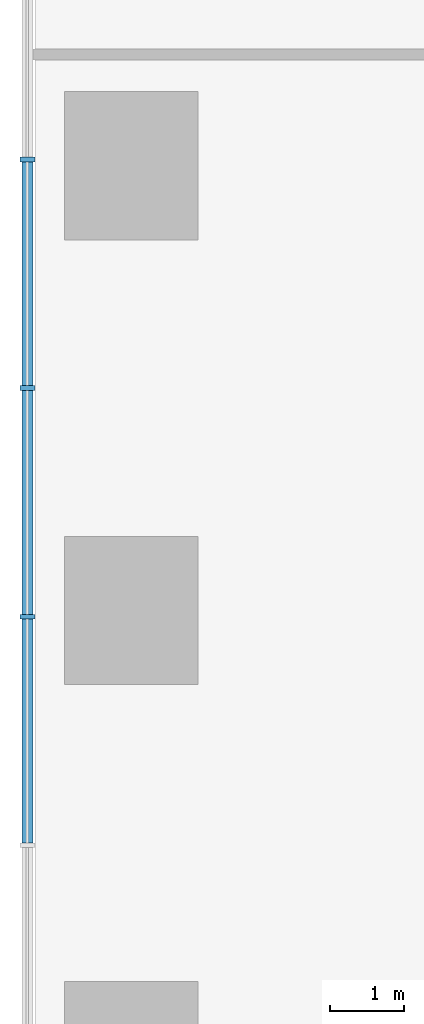
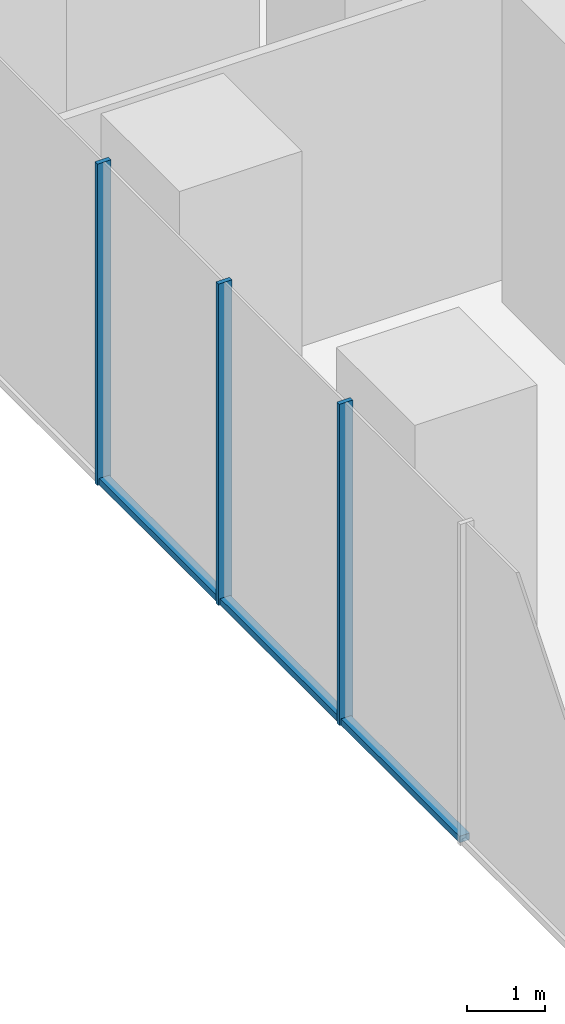
# One storey, part 3 of 15: 6 members, 1 element without a shape of its own.
"""IFC4 building model written with IfcOpenShell, lengths in metres."""

from ifc_helpers import new_model, si_unit, direction, frame, origin, origin_2d, place, context, subcontext, project, spatial, rectangle, extrude, material, layer, layer_set, material_profile, profile_set, type_object, element, aggregate, save


model = new_model("IFC4")

# Units and contexts
model_context = context("Model", 3, precision=1e-05, world=origin(), true_north=direction((0.0, 1.0)))
body_context = subcontext(model_context, "Body", "Model", "MODEL_VIEW")
ifc_project = project(units=[si_unit("LENGTHUNIT", "METRE"), si_unit("AREAUNIT", "SQUARE_METRE"), si_unit("VOLUMEUNIT", "CUBIC_METRE"), si_unit("PLANEANGLEUNIT", "RADIAN"), si_unit("MASSUNIT", "GRAM", prefix="KILO")], contexts=[model_context])

# Site, building, storey
site_placement = place(None, origin())
site = spatial("IfcSite", under=ifc_project, at=site_placement, CompositionType="ELEMENT")
building_placement = place(site_placement, origin())
building = spatial("IfcBuilding", under=site, at=building_placement, Name="Highveld Stack Headquarters", CompositionType="ELEMENT")
storey_placement = place(building_placement, frame((0.0, 0.0, 6.0)))
storey = spatial("IfcBuildingStorey", under=building, at=storey_placement, Name="L01", CompositionType="ELEMENT", Elevation=6.0)

# Curtain wall, members
ifc_material_1 = material(Name="Aluminium bronze anodised", Category="aluminium")
ifc_layer = layer(ifc_material_1, 0.199951171875)
ifc_layer_set = layer_set([ifc_layer], Name="Aluminium bronze anodised")
curtain_wall_type = type_object("IfcCurtainWallType", Name="CW3 PODIUM STICK CURTAIN WALL", PredefinedType="NOTDEFINED", material=ifc_layer_set)
curtain_wall_placement = place(storey_placement, origin())
curtain_wall = element("IfcCurtainWall", 1, at=curtain_wall_placement, inside=storey, type_object=curtain_wall_type, Name="Curtain wall CW3 L01 W", PredefinedType="NOTDEFINED")
ifc_material_2 = material(Name="Aluminium bronze anodised", Category="aluminium")
ifc_material_profile_1 = material_profile(ifc_material_2, rectangle(XDim=0.199951171875, YDim=0.06494140625, at=origin_2d()), Name="CW3 MULLION 65x200")
ifc_profile_set_1 = profile_set([ifc_material_profile_1], Name="Aluminium bronze anodised")
member_type_1 = type_object("IfcMemberType", Name="CW3 MULLION 65x200", PredefinedType="MULLION", material=ifc_profile_set_1)
member_1_placement = place(storey_placement, frame((-31.39990234375, 6.082763671875, 0.0), z_axis=(0.0, 0.0, 1.0), x_axis=(1.0, 0.0, 0.0)))
member_1 = element("IfcMember", 2, at=member_1_placement, type_object=member_type_1, Name="CW3 mullion L01 7", PredefinedType="MULLION", context=body_context, shape_type="SweptSolid", body=[
    extrude(rectangle(XDim=0.199951171875, YDim=0.06494140625, at=origin_2d()), origin(), (0.0, 0.0, 1.0), 5.0),
])
member_2_placement = place(storey_placement, frame((-31.39990234375, 3.0, 0.0), z_axis=(0.0, 0.0, 1.0), x_axis=(1.0, 0.0, 0.0)))
member_2 = element("IfcMember", 3, at=member_2_placement, type_object=member_type_1, Name="CW3 mullion L01 8", PredefinedType="MULLION", context=body_context, shape_type="SweptSolid", body=[
    extrude(rectangle(XDim=0.199951171875, YDim=0.06494140625, at=origin_2d()), origin(), (0.0, 0.0, 1.0), 5.0),
])
member_3_placement = place(storey_placement, frame((-31.39990234375, -0.082763671875, 0.0), z_axis=(0.0, 0.0, 1.0), x_axis=(1.0, 0.0, 0.0)))
member_3 = element("IfcMember", 4, at=member_3_placement, type_object=member_type_1, Name="CW3 mullion L01 9", PredefinedType="MULLION", context=body_context, shape_type="SweptSolid", body=[
    extrude(rectangle(XDim=0.199951171875, YDim=0.06494140625, at=origin_2d()), origin(), (0.0, 0.0, 1.0), 5.0),
])
ifc_material_3 = material(Name="Aluminium bronze anodised", Category="aluminium")
ifc_material_profile_2 = material_profile(ifc_material_3, rectangle(XDim=0.14990234375, YDim=0.10009765625, at=origin_2d()), Name="CW3 TRANSOM 150x100")
ifc_profile_set_2 = profile_set([ifc_material_profile_2], Name="Aluminium bronze anodised")
member_type_2 = type_object("IfcMemberType", Name="CW3 STACK TRANSOM 150x100", PredefinedType="USERDEFINED", material=ifc_profile_set_2)
member_4_placement = place(storey_placement, frame((-31.39990234375, 6.05029296875, 0.050048828125), z_axis=(0.0, -1.0, 0.0), x_axis=(1.0, 0.0, 0.0)))
member_4 = element("IfcMember", 5, at=member_4_placement, type_object=member_type_2, Name="CW3 transom L01 7.1", ObjectType="TRANSOM", PredefinedType="USERDEFINED", context=body_context, shape_type="SweptSolid", body=[
    extrude(rectangle(XDim=0.14990234375, YDim=0.10009765625, at=origin_2d()), origin(), (0.0, 0.0, 1.0), 3.017822265625),
])
member_5_placement = place(storey_placement, frame((-31.39990234375, 2.967529296875, 0.050048828125), z_axis=(0.0, -1.0, 0.0), x_axis=(1.0, 0.0, 0.0)))
member_5 = element("IfcMember", 6, at=member_5_placement, type_object=member_type_2, Name="CW3 transom L01 8.1", ObjectType="TRANSOM", PredefinedType="USERDEFINED", context=body_context, shape_type="SweptSolid", body=[
    extrude(rectangle(XDim=0.14990234375, YDim=0.10009765625, at=origin_2d()), origin(), (0.0, 0.0, 1.0), 3.017822265625),
])
member_6_placement = place(storey_placement, frame((-31.39990234375, -0.115234375, 0.050048828125), z_axis=(0.0, -1.0, 0.0), x_axis=(1.0, 0.0, 0.0)))
member_6 = element("IfcMember", 7, at=member_6_placement, type_object=member_type_2, Name="CW3 transom L01 9.1", ObjectType="TRANSOM", PredefinedType="USERDEFINED", context=body_context, shape_type="SweptSolid", body=[
    extrude(rectangle(XDim=0.14990234375, YDim=0.10009765625, at=origin_2d()), origin(), (0.0, 0.0, 1.0), 3.01806640625),
])
aggregate(curtain_wall, [member_1, member_2, member_3, member_4, member_5, member_6])

save(model, "model.ifc")
